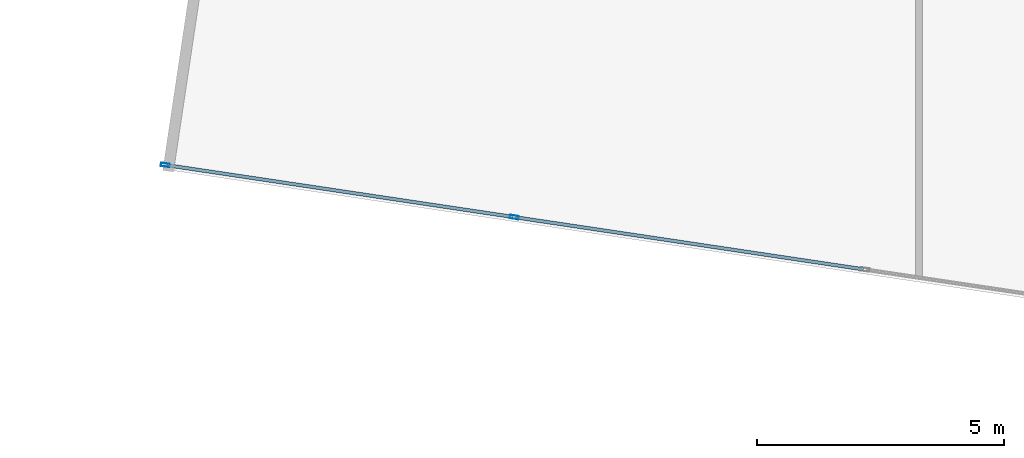
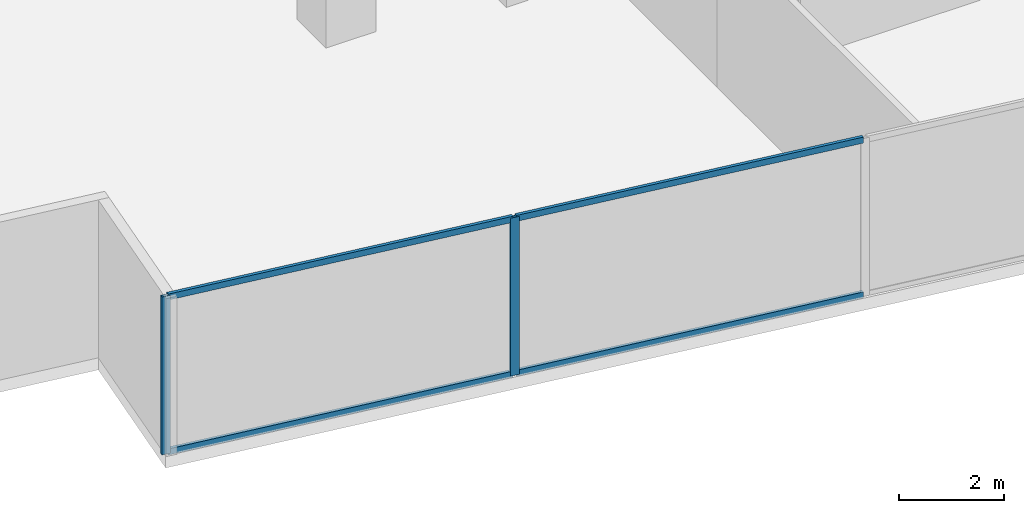
# One storey, part 2 of 29: 6 members, 1 element without a shape of its own.
"""IFC4 building model written with IfcOpenShell, lengths in metres."""

from ifc_helpers import new_model, si_unit, direction, frame, origin, origin_2d, place, context, subcontext, project, spatial, hollow_rectangle, extrude, source, transform, mapped, material, material_profile, profile_set, type_object, type_shapes, element, aggregate, save


model = new_model("IFC4")

# Units and contexts
model_context = context("Model", 3, precision=1e-05, world=origin(), true_north=direction((0.0, 1.0)))
body_context = subcontext(model_context, "Body", "Model", "MODEL_VIEW")
ifc_project = project(units=[si_unit("LENGTHUNIT", "METRE"), si_unit("AREAUNIT", "SQUARE_METRE"), si_unit("VOLUMEUNIT", "CUBIC_METRE"), si_unit("PLANEANGLEUNIT", "RADIAN"), si_unit("MASSUNIT", "GRAM", prefix="KILO")], contexts=[model_context])

# Site, building, storey
site_placement = place(None, origin())
site = spatial("IfcSite", under=ifc_project, at=site_placement, CompositionType="ELEMENT")
building_placement = place(site_placement, origin())
building = spatial("IfcBuilding", under=site, at=building_placement, Name="Krantzveldt Concourse Tower", CompositionType="ELEMENT")
storey_placement = place(building_placement, frame((0.0, 0.0, 68.449951171875)))
storey = spatial("IfcBuildingStorey", under=building, at=storey_placement, Name="L16", CompositionType="ELEMENT", Elevation=68.449951171875)

# Curtain wall, members
ifc_material = material(Name="Anodised aluminium 6063-T6", Category="aluminium")
curtain_wall_type = type_object("IfcCurtainWallType", Name="CW2", PredefinedType="USERDEFINED", material=ifc_material)
curtain_wall_placement = place(storey_placement, origin())
curtain_wall = element("IfcCurtainWall", 1, at=curtain_wall_placement, inside=storey, type_object=curtain_wall_type, Name="CW-L16-F04", ObjectType="UNITISED CURTAIN WALL", PredefinedType="USERDEFINED")
ifc_material_profile_1 = material_profile(ifc_material, hollow_rectangle(XDim=0.070068359375, YDim=0.139892578125, WallThickness=0.0048828125, at=origin_2d()), Name="Anodised aluminium 6063-T6", Category="aluminium")
ifc_profile_set_1 = profile_set([ifc_material_profile_1], Name="Anodised aluminium 6063-T6 - ALU-TRAN 140x70x5")
member_type_1 = type_object("IfcMemberType", Name="CW-TRN-150", PredefinedType="USERDEFINED", material=ifc_profile_set_1)
shared_shape_1 = source(origin(), body_context, "Body", "SweptSolid", [
    extrude(hollow_rectangle(XDim=0.070068359375, YDim=0.139892578125, WallThickness=0.0048828125, at=origin_2d()), origin(), (0.0, 0.0, 1.0), 7.0966796875),
])
member_1_placement = place(storey_placement, frame((18.1767578125, 4.177001953125, 0.03515625), z_axis=(0.989018713841, -0.14779033687, 0.0), x_axis=(0.14779033687, 0.989018713841, 0.0)))
member_1 = element("IfcMember", 2, at=member_1_placement, type_object=member_type_1, Name="CW-Z12 transom 2.1", ObjectType="TRANSOM", PredefinedType="USERDEFINED", context=body_context, shape_type="MappedRepresentation", body=[
    mapped(shared_shape_1, transform((0.0, 0.0, 0.0), x_axis=(1.0, 0.0, 0.0), y_axis=(0.0, 1.0, 0.0), z_axis=(0.0, 0.0, 1.0), scale=1.0)),
])
member_2_placement = place(storey_placement, frame((18.1767578125, 4.177001953125, 3.635009765625), z_axis=(0.989018713841, -0.14779033687, 0.0), x_axis=(0.14779033687, 0.989018713841, 0.0)))
member_2 = element("IfcMember", 3, at=member_2_placement, type_object=member_type_1, Name="CW-Z12 transom 2.2", ObjectType="TRANSOM", PredefinedType="USERDEFINED", context=body_context, shape_type="MappedRepresentation", body=[
    mapped(shared_shape_1, transform((0.0, 0.0, 0.0), x_axis=(1.0, 0.0, 0.0), y_axis=(0.0, 1.0, 0.0), z_axis=(0.0, 0.0, 1.0), scale=1.0)),
])
shared_shape_2 = source(origin(), body_context, "Body", "SweptSolid", [
    extrude(hollow_rectangle(XDim=0.070068359375, YDim=0.139892578125, WallThickness=0.0048828125, at=origin_2d()), origin(), (0.0, 0.0, 1.0), 7.061767578125),
])
type_shapes(member_type_1, [shared_shape_1, shared_shape_2])
member_3_placement = place(storey_placement, frame((11.12353515625, 5.231201171875, 0.03515625), z_axis=(0.989017605897, -0.147797751082, 0.0), x_axis=(0.147797751082, 0.989017605897, 0.0)))
member_3 = element("IfcMember", 4, at=member_3_placement, type_object=member_type_1, Name="CW-Z12 transom 1.1", ObjectType="TRANSOM", PredefinedType="USERDEFINED", context=body_context, shape_type="MappedRepresentation", body=[
    mapped(shared_shape_2, transform((0.0, 0.0, 0.0), x_axis=(1.0, 0.0, 0.0), y_axis=(0.0, 1.0, 0.0), z_axis=(0.0, 0.0, 1.0), scale=1.0)),
])
member_4_placement = place(storey_placement, frame((11.12353515625, 5.231201171875, 3.635009765625), z_axis=(0.989017605897, -0.147797751082, 0.0), x_axis=(0.147797751082, 0.989017605897, 0.0)))
member_4 = element("IfcMember", 5, at=member_4_placement, type_object=member_type_1, Name="CW-Z12 transom 1.2", ObjectType="TRANSOM", PredefinedType="USERDEFINED", context=body_context, shape_type="MappedRepresentation", body=[
    mapped(shared_shape_2, transform((0.0, 0.0, 0.0), x_axis=(1.0, 0.0, 0.0), y_axis=(0.0, 1.0, 0.0), z_axis=(0.0, 0.0, 1.0), scale=1.0)),
])
ifc_material_profile_2 = material_profile(ifc_material, hollow_rectangle(XDim=0.070068359375, YDim=0.179931640625, WallThickness=0.0048828125, at=origin_2d()), Name="Anodised aluminium 6063-T6", Category="aluminium")
ifc_profile_set_2 = profile_set([ifc_material_profile_2], Name="Anodised aluminium 6063-T6 - ALU-MULL 180x70x5")
member_type_2 = type_object("IfcMemberType", Name="CW-MUL-180", PredefinedType="MULLION", material=ifc_profile_set_2)
shared_shape_3 = source(origin(), body_context, "Body", "SweptSolid", [
    extrude(hollow_rectangle(XDim=0.070068359375, YDim=0.179931640625, WallThickness=0.0048828125, at=origin_2d()), origin(), (0.0, 0.0, 1.0), 3.670166015625),
])
type_shapes(member_type_2, [shared_shape_3])
member_5_placement = place(storey_placement, frame((11.0888671875, 5.236328125, 0.0), z_axis=(0.0, 0.0, 1.0), x_axis=(0.147809505412, 0.989015849271, 0.0)))
member_5 = element("IfcMember", 6, at=member_5_placement, type_object=member_type_2, Name="CW-Z12 mullion 1", PredefinedType="MULLION", context=body_context, shape_type="MappedRepresentation", body=[
    mapped(shared_shape_3, transform((0.0, 0.0, 0.0), x_axis=(1.0, 0.0, 0.0), y_axis=(0.0, 1.0, 0.0), z_axis=(0.0, 0.0, 1.0), scale=1.0)),
])
member_6_placement = place(storey_placement, frame((18.14208984375, 4.18212890625, 0.0), z_axis=(0.0, 0.0, 1.0), x_axis=(0.147809505412, 0.989015849271, 0.0)))
member_6 = element("IfcMember", 7, at=member_6_placement, type_object=member_type_2, Name="CW-Z12 mullion 2", PredefinedType="MULLION", context=body_context, shape_type="MappedRepresentation", body=[
    mapped(shared_shape_3, transform((0.0, 0.0, 0.0), x_axis=(1.0, 0.0, 0.0), y_axis=(0.0, 1.0, 0.0), z_axis=(0.0, 0.0, 1.0), scale=1.0)),
])
aggregate(curtain_wall, [member_5, member_6, member_3, member_4, member_1, member_2])

save(model, "model.ifc")
